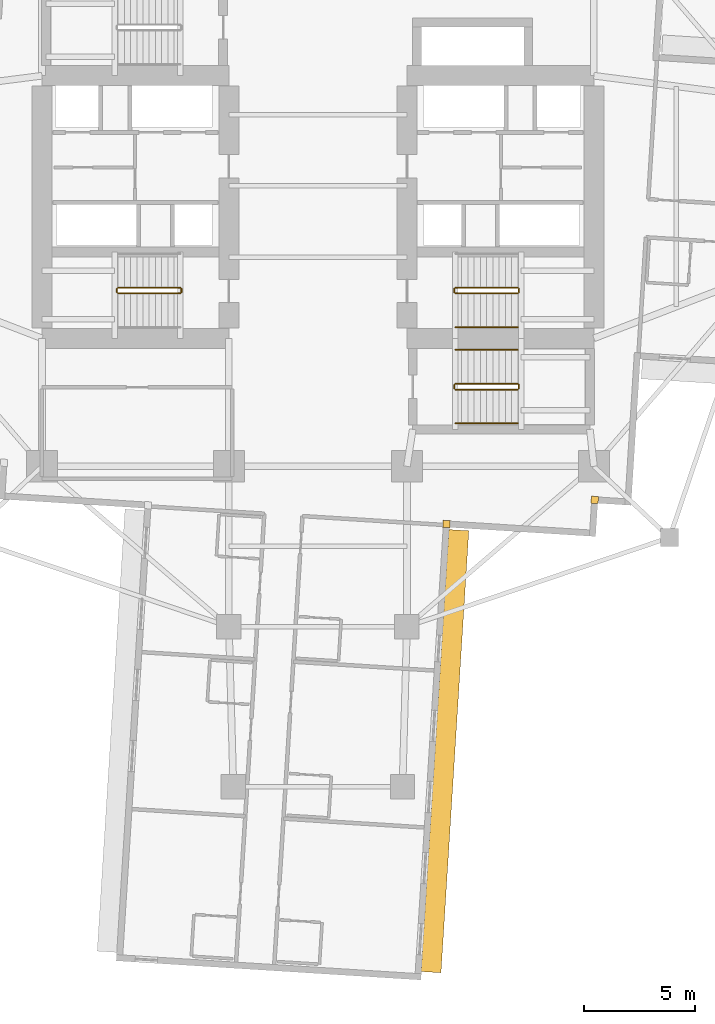
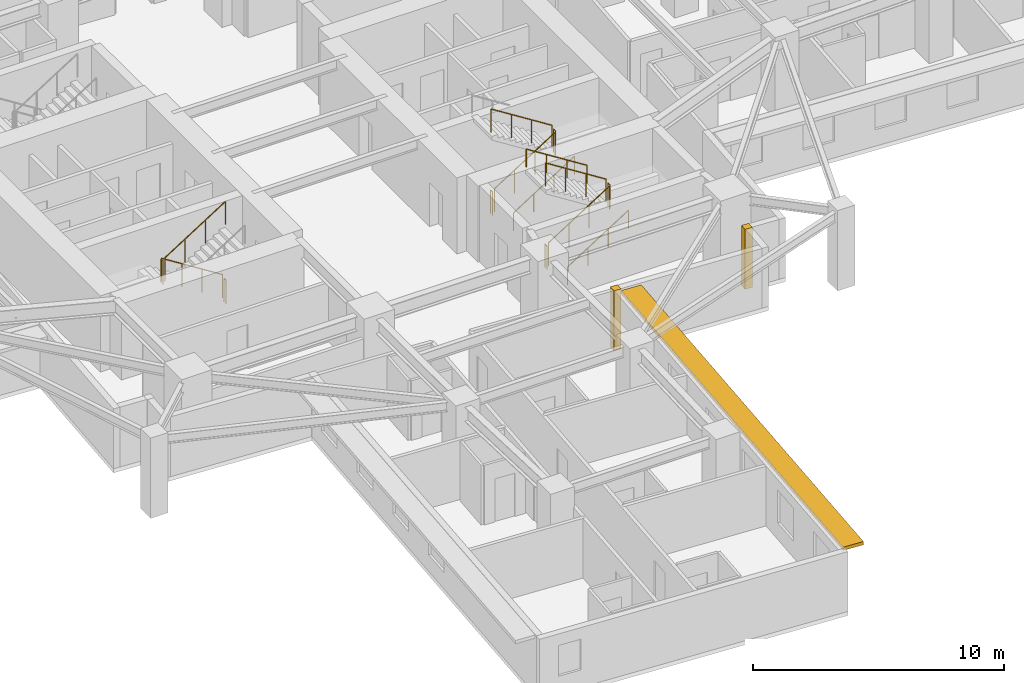
# One storey, part 11 of 14: 15 railings, 2 coverings, 1 shading device.
"""IFC4 building model written with IfcOpenShell, lengths in metres."""

from ifc_helpers import new_model, si_unit, direction, frame, origin, origin_2d, place, context, subcontext, project, spatial, rectangle, circle, extrude, material, layer, layer_set, type_object, element, save


model = new_model("IFC4")

# Units and contexts
model_context = context("Model", 3, precision=1e-05, world=origin(), true_north=direction((0.0, 1.0)))
body_context = subcontext(model_context, "Body", "Model", "MODEL_VIEW")
ifc_project = project(units=[si_unit("LENGTHUNIT", "METRE"), si_unit("AREAUNIT", "SQUARE_METRE"), si_unit("VOLUMEUNIT", "CUBIC_METRE"), si_unit("PLANEANGLEUNIT", "RADIAN"), si_unit("MASSUNIT", "GRAM", prefix="KILO")], contexts=[model_context])

# Site, building, storey
site_placement = place(None, origin())
site = spatial("IfcSite", under=ifc_project, at=site_placement, CompositionType="ELEMENT")
building_placement = place(site_placement, origin())
building = spatial("IfcBuilding", under=site, at=building_placement, Name="Qingluan Cross Belvedere", CompositionType="ELEMENT")
storey_placement = place(building_placement, frame((0.0, 0.0, 79.5)))
storey = spatial("IfcBuildingStorey", under=building, at=storey_placement, Name="L20", CompositionType="ELEMENT", Elevation=79.5)

# Coverings
ifc_material_1 = material(Name="Precast concrete C45", Category="concrete")
ifc_layer_1 = layer(ifc_material_1, 0.1201171875, Name="ConcreteSpandrelCladding_120")
ifc_layer_set_1 = layer_set([ifc_layer_1], Name="Precast concrete C45")
covering_type = type_object("IfcCoveringType", Name="ConcreteSpandrelCladding_120", PredefinedType="CLADDING", material=ifc_layer_set_1)
for number, where, z_axis, x_axis, name in (
    (1, (12.438720703125, -14.10888671875, 0.0), (0.0, 0.0, 1.0), (0.998026728428, -0.062790519529, 0.0), "Corner closure L20-SE1"),
    (2, (5.77734375, -15.192626953125, 0.0), (0.0, 0.0, 1.0), (0.998026728428, -0.062790519529, 0.0), "Corner closure L20-SE2"),
):
    element("IfcCovering", number, at=place(storey_placement, frame(where, z_axis=z_axis, x_axis=x_axis)), inside=storey, type_object=covering_type, Name=name, PredefinedType="CLADDING", context=body_context, shape_type="SweptSolid", body=[
        extrude(rectangle(XDim=0.320068359375, YDim=0.320068359375, at=origin_2d()), origin(), (0.0, 0.0, 1.0), 2.909912109375),
    ])

# Shading device
ifc_material_2 = material(Name="Precast concrete C45", Category="concrete")
ifc_layer_2 = layer(ifc_material_2, 0.159912109375, Name="ConcreteSunshadeBand_900")
ifc_layer_set_2 = layer_set([ifc_layer_2], Name="Precast concrete C45")
shading_device_type = type_object("IfcShadingDeviceType", Name="ConcreteSunshadeBand_900", PredefinedType="USERDEFINED", material=ifc_layer_set_2)
shading_device_placement = place(storey_placement, frame((5.70654296875, -25.3984375, 2.72998046875), z_axis=(0.0, 0.0, 1.0), x_axis=(0.062786203294, 0.998026999973, 0.0)))
element("IfcShadingDevice", 3, at=shading_device_placement, inside=storey, type_object=shading_device_type, Name="Concrete SUNSHADE L20-SB", ObjectType="SUNSHADE", PredefinedType="USERDEFINED", context=body_context, shape_type="SweptSolid", body=[
    extrude(rectangle(XDim=19.89990234375, YDim=0.89990234375, at=origin_2d()), origin(), (0.0, 0.0, 1.0), 0.159912109375),
])

# Railings
ifc_material_3 = material(Name="Brushed stainless steel tubular handrail", Category="steel")
railing_type_1 = type_object("IfcRailingType", Name="StairPitchHandrail_900", PredefinedType="HANDRAIL", material=ifc_material_3)
for number, where, name in (
    (4, (6.179931640625, -6.35009765625, 0.17724609375), "L20 ST2 stair handrail 1"),
    (5, (6.179931640625, -10.669921875, 0.17724609375), "L20 ST4 stair handrail 1"),
):
    element("IfcRailing", number, at=place(storey_placement, frame(where)), inside=storey, type_object=railing_type_1, Name=name, PredefinedType="HANDRAIL", context=body_context, shape_type="SweptSolid", body=[
        extrude(circle(Radius=0.02392578125, at=origin_2d()), frame((0.0, 0.0, 0.8759765625), z_axis=(0.844908973607, 0.0, 0.534910110503), x_axis=(0.0, 1.0, 0.0)), (0.0, 0.0, 1.0), 3.31396484375),
        extrude(circle(Radius=0.02099609375, at=origin_2d()), origin(), (0.0, 0.0, 1.0), 0.851806640625),
        extrude(circle(Radius=0.02099609375, at=origin_2d()), frame((0.933349609375, 0.0, 0.5908203125)), (0.0, 0.0, 1.0), 0.851806640625),
        extrude(circle(Radius=0.02099609375, at=origin_2d()), frame((1.86669921875, 0.0, 1.181884765625)), (0.0, 0.0, 1.0), 0.851806640625),
        extrude(circle(Radius=0.02099609375, at=origin_2d()), frame((2.800048828125, 0.0, 1.772705078125)), (0.0, 0.0, 1.0), 0.851806640625),
    ])
railing_1_placement = place(storey_placement, frame((8.97998046875, -7.3701171875, 2.127197265625)))
element("IfcRailing", 6, at=railing_1_placement, inside=storey, type_object=railing_type_1, Name="L20 ST4 stair handrail 2", PredefinedType="HANDRAIL", context=body_context, shape_type="SweptSolid", body=[
    extrude(circle(Radius=0.02392578125, at=origin_2d()), frame((0.0, 0.0, 0.8759765625), z_axis=(-0.844908973607, 0.0, 0.534910110503), x_axis=(0.0, -1.0, 0.0)), (0.0, 0.0, 1.0), 3.31396484375),
    extrude(circle(Radius=0.02099609375, at=origin_2d()), origin(), (0.0, 0.0, 1.0), 0.851806640625),
    extrude(circle(Radius=0.02099609375, at=origin_2d()), frame((-0.933349609375, 0.0, 0.5908203125)), (0.0, 0.0, 1.0), 0.851806640625),
    extrude(circle(Radius=0.02099609375, at=origin_2d()), frame((-1.86669921875, 0.0, 1.181884765625)), (0.0, 0.0, 1.0), 0.851806640625),
    extrude(circle(Radius=0.02099609375, at=origin_2d()), frame((-2.800048828125, 0.0, 1.772705078125)), (0.0, 0.0, 1.0), 0.851806640625),
])
ifc_material_4 = material(Name="Painted steel stair well guard", Category="steel")
railing_type_2 = type_object("IfcRailingType", Name="StairWellGuard_1150", PredefinedType="BALUSTRADE", material=ifc_material_4)
railing_2_placement = place(storey_placement, frame((-6.179931640625, -4.570068359375, 0.17724609375)))
element("IfcRailing", 7, at=railing_2_placement, inside=storey, type_object=railing_type_2, Name="L20 ST1 stair guard 1", PredefinedType="BALUSTRADE", context=body_context, shape_type="SweptSolid", body=[
    extrude(circle(Radius=0.02392578125, at=origin_2d()), frame((0.0, 0.0, 1.1259765625), z_axis=(-0.844908973607, 0.0, 0.534910110503), x_axis=(0.0, -1.0, 0.0)), (0.0, 0.0, 1.0), 3.31396484375),
    extrude(circle(Radius=0.02099609375, at=origin_2d()), origin(), (0.0, 0.0, 1.0), 1.101806640625),
    extrude(circle(Radius=0.02099609375, at=origin_2d()), frame((-0.933349609375, 0.0, 0.5908203125)), (0.0, 0.0, 1.0), 1.101806640625),
    extrude(circle(Radius=0.02099609375, at=origin_2d()), frame((-1.86669921875, 0.0, 1.181884765625)), (0.0, 0.0, 1.0), 1.101806640625),
    extrude(circle(Radius=0.02099609375, at=origin_2d()), frame((-2.800048828125, 0.0, 1.772705078125)), (0.0, 0.0, 1.0), 1.101806640625),
])
railing_3_placement = place(storey_placement, frame((-9.030029296875, -4.6201171875, 1.949951171875)))
element("IfcRailing", 8, at=railing_3_placement, inside=storey, type_object=railing_type_2, Name="L20 ST1 stair guard 2", PredefinedType="BALUSTRADE", context=body_context, shape_type="SweptSolid", body=[
    extrude(circle(Radius=0.02392578125, at=origin_2d()), frame((0.0, 0.0, 1.1259765625), z_axis=(0.0, -1.0, 0.0), x_axis=(1.0, 0.0, 0.0)), (0.0, 0.0, 1.0), 0.159912109375),
    extrude(circle(Radius=0.02099609375, at=origin_2d()), origin(), (0.0, 0.0, 1.0), 1.101806640625),
    extrude(circle(Radius=0.02099609375, at=origin_2d()), frame((0.0, -0.159912109375, 0.0)), (0.0, 0.0, 1.0), 1.101806640625),
])
railing_4_placement = place(storey_placement, frame((-8.97998046875, -4.830078125, 2.127197265625)))
element("IfcRailing", 9, at=railing_4_placement, inside=storey, type_object=railing_type_2, Name="L20 ST1 stair guard 3", PredefinedType="BALUSTRADE", context=body_context, shape_type="SweptSolid", body=[
    extrude(circle(Radius=0.02392578125, at=origin_2d()), frame((0.0, 0.0, 1.1259765625), z_axis=(0.844908973607, 0.0, 0.534910110503), x_axis=(0.0, 1.0, 0.0)), (0.0, 0.0, 1.0), 3.31396484375),
    extrude(circle(Radius=0.02099609375, at=origin_2d()), origin(), (0.0, 0.0, 1.0), 1.101806640625),
    extrude(circle(Radius=0.02099609375, at=origin_2d()), frame((0.933349609375, 0.0, 0.5908203125)), (0.0, 0.0, 1.0), 1.101806640625),
    extrude(circle(Radius=0.02099609375, at=origin_2d()), frame((1.86669921875, 0.0, 1.181884765625)), (0.0, 0.0, 1.0), 1.101806640625),
    extrude(circle(Radius=0.02099609375, at=origin_2d()), frame((2.800048828125, 0.0, 1.772705078125)), (0.0, 0.0, 1.0), 1.101806640625),
])
railing_5_placement = place(storey_placement, frame((-6.1298828125, -4.6201171875, 0.0)))
element("IfcRailing", 10, at=railing_5_placement, inside=storey, type_object=railing_type_2, Name="L20 ST1 stair guard 4", PredefinedType="BALUSTRADE", context=body_context, shape_type="SweptSolid", body=[
    extrude(circle(Radius=0.02392578125, at=origin_2d()), frame((0.0, 0.0, 1.1259765625), z_axis=(0.0, -1.0, 0.0), x_axis=(1.0, 0.0, 0.0)), (0.0, 0.0, 1.0), 0.159912109375),
    extrude(circle(Radius=0.02099609375, at=origin_2d()), origin(), (0.0, 0.0, 1.0), 1.101806640625),
    extrude(circle(Radius=0.02099609375, at=origin_2d()), frame((0.0, -0.159912109375, 0.0)), (0.0, 0.0, 1.0), 1.101806640625),
])
railing_6_placement = place(storey_placement, frame((6.179931640625, -4.830078125, 0.17724609375)))
element("IfcRailing", 11, at=railing_6_placement, inside=storey, type_object=railing_type_2, Name="L20 ST2 stair guard 1", PredefinedType="BALUSTRADE", context=body_context, shape_type="SweptSolid", body=[
    extrude(circle(Radius=0.02392578125, at=origin_2d()), frame((0.0, 0.0, 1.1259765625), z_axis=(0.844908973607, 0.0, 0.534910110503), x_axis=(0.0, 1.0, 0.0)), (0.0, 0.0, 1.0), 3.31396484375),
    extrude(circle(Radius=0.02099609375, at=origin_2d()), origin(), (0.0, 0.0, 1.0), 1.101806640625),
    extrude(circle(Radius=0.02099609375, at=origin_2d()), frame((0.933349609375, 0.0, 0.5908203125)), (0.0, 0.0, 1.0), 1.101806640625),
    extrude(circle(Radius=0.02099609375, at=origin_2d()), frame((1.86669921875, 0.0, 1.181884765625)), (0.0, 0.0, 1.0), 1.101806640625),
    extrude(circle(Radius=0.02099609375, at=origin_2d()), frame((2.800048828125, 0.0, 1.772705078125)), (0.0, 0.0, 1.0), 1.101806640625),
])
railing_7_placement = place(storey_placement, frame((9.030029296875, -4.780029296875, 1.949951171875)))
element("IfcRailing", 12, at=railing_7_placement, inside=storey, type_object=railing_type_2, Name="L20 ST2 stair guard 2", PredefinedType="BALUSTRADE", context=body_context, shape_type="SweptSolid", body=[
    extrude(circle(Radius=0.02392578125, at=origin_2d()), frame((0.0, 0.0, 1.1259765625), z_axis=(0.0, 1.0, 0.0), x_axis=(-1.0, 0.0, 0.0)), (0.0, 0.0, 1.0), 0.159912109375),
    extrude(circle(Radius=0.02099609375, at=origin_2d()), origin(), (0.0, 0.0, 1.0), 1.101806640625),
    extrude(circle(Radius=0.02099609375, at=origin_2d()), frame((0.0, 0.159912109375, 0.0)), (0.0, 0.0, 1.0), 1.101806640625),
])
railing_8_placement = place(storey_placement, frame((8.97998046875, -4.570068359375, 2.127197265625)))
element("IfcRailing", 13, at=railing_8_placement, inside=storey, type_object=railing_type_2, Name="L20 ST2 stair guard 3", PredefinedType="BALUSTRADE", context=body_context, shape_type="SweptSolid", body=[
    extrude(circle(Radius=0.02392578125, at=origin_2d()), frame((0.0, 0.0, 1.1259765625), z_axis=(-0.844908973607, 0.0, 0.534910110503), x_axis=(0.0, -1.0, 0.0)), (0.0, 0.0, 1.0), 3.31396484375),
    extrude(circle(Radius=0.02099609375, at=origin_2d()), origin(), (0.0, 0.0, 1.0), 1.101806640625),
    extrude(circle(Radius=0.02099609375, at=origin_2d()), frame((-0.933349609375, 0.0, 0.5908203125)), (0.0, 0.0, 1.0), 1.101806640625),
    extrude(circle(Radius=0.02099609375, at=origin_2d()), frame((-1.86669921875, 0.0, 1.181884765625)), (0.0, 0.0, 1.0), 1.101806640625),
    extrude(circle(Radius=0.02099609375, at=origin_2d()), frame((-2.800048828125, 0.0, 1.772705078125)), (0.0, 0.0, 1.0), 1.101806640625),
])
railing_9_placement = place(storey_placement, frame((6.1298828125, -4.780029296875, 0.0)))
element("IfcRailing", 14, at=railing_9_placement, inside=storey, type_object=railing_type_2, Name="L20 ST2 stair guard 4", PredefinedType="BALUSTRADE", context=body_context, shape_type="SweptSolid", body=[
    extrude(circle(Radius=0.02392578125, at=origin_2d()), frame((0.0, 0.0, 1.1259765625), z_axis=(0.0, 1.0, 0.0), x_axis=(-1.0, 0.0, 0.0)), (0.0, 0.0, 1.0), 0.159912109375),
    extrude(circle(Radius=0.02099609375, at=origin_2d()), origin(), (0.0, 0.0, 1.0), 1.101806640625),
    extrude(circle(Radius=0.02099609375, at=origin_2d()), frame((0.0, 0.159912109375, 0.0)), (0.0, 0.0, 1.0), 1.101806640625),
])
railing_10_placement = place(storey_placement, frame((6.179931640625, -9.14990234375, 0.17724609375)))
element("IfcRailing", 15, at=railing_10_placement, inside=storey, type_object=railing_type_2, Name="L20 ST4 stair guard 1", PredefinedType="BALUSTRADE", context=body_context, shape_type="SweptSolid", body=[
    extrude(circle(Radius=0.02392578125, at=origin_2d()), frame((0.0, 0.0, 1.1259765625), z_axis=(0.844908973607, 0.0, 0.534910110503), x_axis=(0.0, 1.0, 0.0)), (0.0, 0.0, 1.0), 3.31396484375),
    extrude(circle(Radius=0.02099609375, at=origin_2d()), origin(), (0.0, 0.0, 1.0), 1.101806640625),
    extrude(circle(Radius=0.02099609375, at=origin_2d()), frame((0.933349609375, 0.0, 0.5908203125)), (0.0, 0.0, 1.0), 1.101806640625),
    extrude(circle(Radius=0.02099609375, at=origin_2d()), frame((1.86669921875, 0.0, 1.181884765625)), (0.0, 0.0, 1.0), 1.101806640625),
    extrude(circle(Radius=0.02099609375, at=origin_2d()), frame((2.800048828125, 0.0, 1.772705078125)), (0.0, 0.0, 1.0), 1.101806640625),
])
railing_11_placement = place(storey_placement, frame((9.030029296875, -9.10009765625, 1.949951171875)))
element("IfcRailing", 16, at=railing_11_placement, inside=storey, type_object=railing_type_2, Name="L20 ST4 stair guard 2", PredefinedType="BALUSTRADE", context=body_context, shape_type="SweptSolid", body=[
    extrude(circle(Radius=0.02392578125, at=origin_2d()), frame((0.0, 0.0, 1.1259765625), z_axis=(0.0, 1.0, 0.0), x_axis=(-1.0, 0.0, 0.0)), (0.0, 0.0, 1.0), 0.16015625),
    extrude(circle(Radius=0.02099609375, at=origin_2d()), origin(), (0.0, 0.0, 1.0), 1.101806640625),
    extrude(circle(Radius=0.02099609375, at=origin_2d()), frame((0.0, 0.16015625, 0.0)), (0.0, 0.0, 1.0), 1.101806640625),
])
railing_12_placement = place(storey_placement, frame((8.97998046875, -8.889892578125, 2.127197265625)))
element("IfcRailing", 17, at=railing_12_placement, inside=storey, type_object=railing_type_2, Name="L20 ST4 stair guard 3", PredefinedType="BALUSTRADE", context=body_context, shape_type="SweptSolid", body=[
    extrude(circle(Radius=0.02392578125, at=origin_2d()), frame((0.0, 0.0, 1.1259765625), z_axis=(-0.844908973607, 0.0, 0.534910110503), x_axis=(0.0, -1.0, 0.0)), (0.0, 0.0, 1.0), 3.31396484375),
    extrude(circle(Radius=0.02099609375, at=origin_2d()), origin(), (0.0, 0.0, 1.0), 1.101806640625),
    extrude(circle(Radius=0.02099609375, at=origin_2d()), frame((-0.933349609375, 0.0, 0.5908203125)), (0.0, 0.0, 1.0), 1.101806640625),
    extrude(circle(Radius=0.02099609375, at=origin_2d()), frame((-1.86669921875, 0.0, 1.181884765625)), (0.0, 0.0, 1.0), 1.101806640625),
    extrude(circle(Radius=0.02099609375, at=origin_2d()), frame((-2.800048828125, 0.0, 1.772705078125)), (0.0, 0.0, 1.0), 1.101806640625),
])
railing_13_placement = place(storey_placement, frame((6.1298828125, -9.10009765625, 0.0)))
element("IfcRailing", 18, at=railing_13_placement, inside=storey, type_object=railing_type_2, Name="L20 ST4 stair guard 4", PredefinedType="BALUSTRADE", context=body_context, shape_type="SweptSolid", body=[
    extrude(circle(Radius=0.02392578125, at=origin_2d()), frame((0.0, 0.0, 1.1259765625), z_axis=(0.0, 1.0, 0.0), x_axis=(-1.0, 0.0, 0.0)), (0.0, 0.0, 1.0), 0.16015625),
    extrude(circle(Radius=0.02099609375, at=origin_2d()), origin(), (0.0, 0.0, 1.0), 1.101806640625),
    extrude(circle(Radius=0.02099609375, at=origin_2d()), frame((0.0, 0.16015625, 0.0)), (0.0, 0.0, 1.0), 1.101806640625),
])

save(model, "model.ifc")
